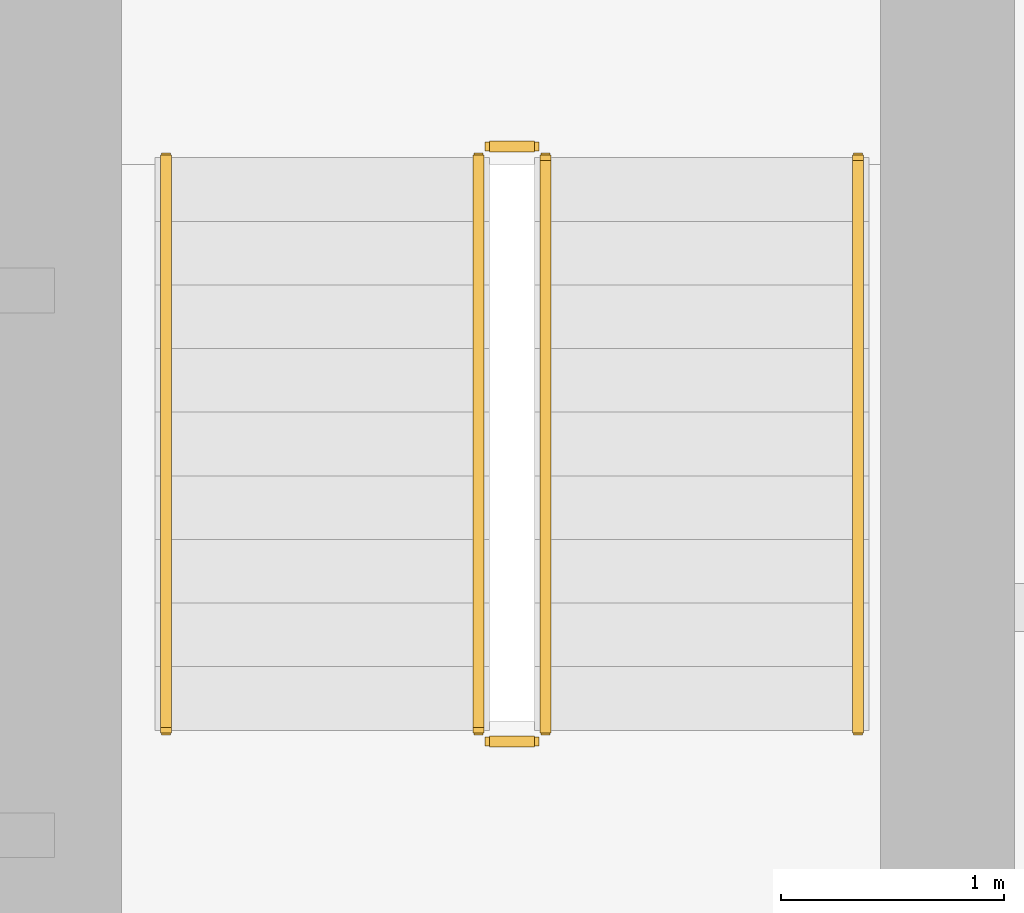
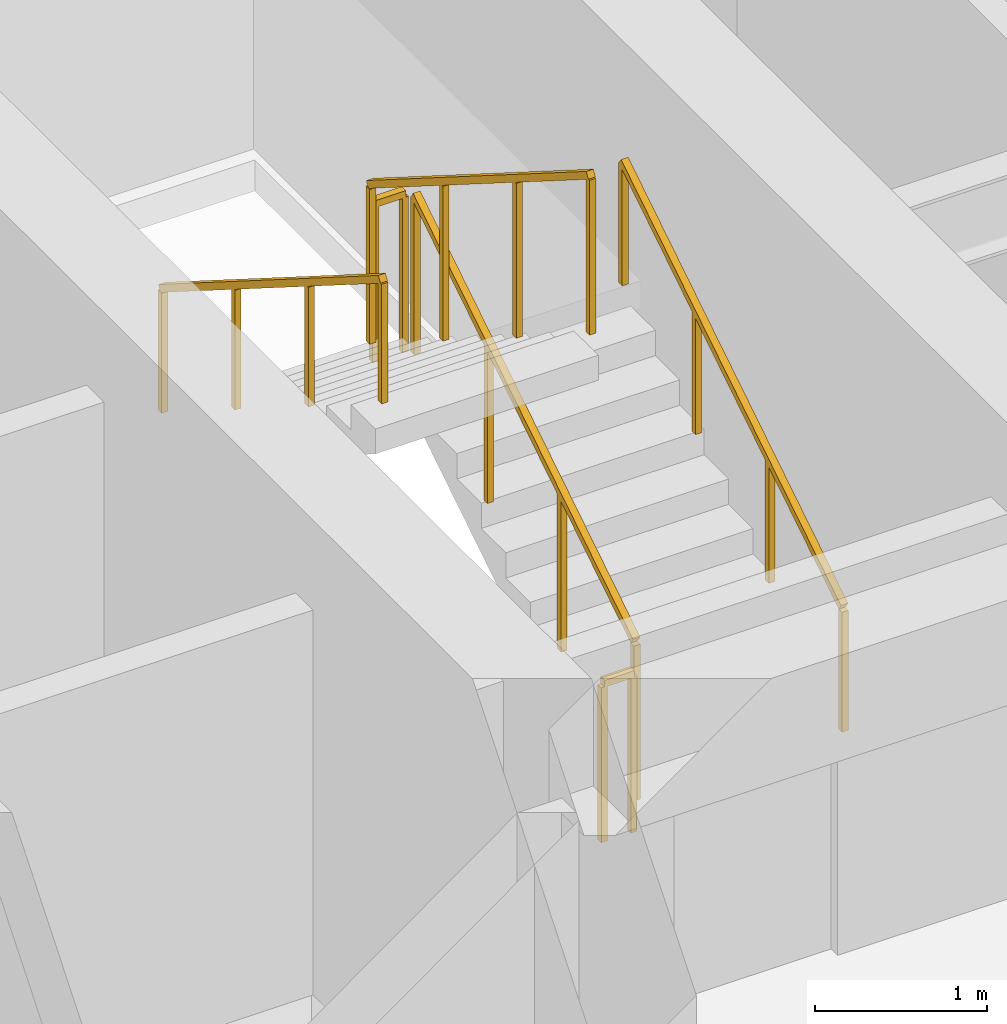
# One storey, part 26 of 26: 6 railings.
"""IFC4 building model written with IfcOpenShell, lengths in metres."""

from ifc_helpers import new_model, si_unit, direction, frame, origin, origin_2d, place, context, subcontext, project, spatial, rectangle, extrude, material, type_object, element, save


model = new_model("IFC4")

# Units and contexts
model_context = context("Model", 3, precision=1e-05, world=origin(), true_north=direction((0.0, 1.0)))
body_context = subcontext(model_context, "Body", "Model", "MODEL_VIEW")
ifc_project = project(units=[si_unit("LENGTHUNIT", "METRE"), si_unit("AREAUNIT", "SQUARE_METRE"), si_unit("VOLUMEUNIT", "CUBIC_METRE"), si_unit("PLANEANGLEUNIT", "RADIAN"), si_unit("MASSUNIT", "GRAM", prefix="KILO")], contexts=[model_context])

# Site, building, storey
site_placement = place(None, origin())
site = spatial("IfcSite", under=ifc_project, at=site_placement, CompositionType="ELEMENT")
building_placement = place(site_placement, origin())
building = spatial("IfcBuilding", under=site, at=building_placement, Name="Sarneth Arch Tower", CompositionType="ELEMENT")
storey_placement = place(building_placement, frame((0.0, 0.0, 64.199951171875)))
storey = spatial("IfcBuildingStorey", under=building, at=storey_placement, Name="L15", CompositionType="ELEMENT", Elevation=64.199951171875)

# Railings
ifc_material_1 = material(Name="Brushed Stainless Steel 304 tubular handrail", Category="steel")
railing_type_1 = type_object("IfcRailingType", Name="RAIL-HANDRAIL-900", PredefinedType="HANDRAIL", material=ifc_material_1)
railing_1_placement = place(storey_placement, frame((58.60009765625, 41.449951171875, 0.179931640625)))
element("IfcRailing", 1, at=railing_1_placement, inside=storey, type_object=railing_type_1, Name="L15 ST-2 stair handrail 1", PredefinedType="HANDRAIL", context=body_context, shape_type="SweptSolid", body=[
    extrude(rectangle(XDim=0.048095703125, YDim=0.048095703125, at=origin_2d()), frame((0.0, 0.0, 0.8759765625), z_axis=(0.0, 0.845465955043, 0.534029323973), x_axis=(-1.0, 0.0, 0.0)), (0.0, 0.0, 1.0), 3.03369140625),
    extrude(rectangle(XDim=0.0419921875, YDim=0.0419921875, at=origin_2d()), origin(), (0.0, 0.0, 1.0), 0.851806640625),
    extrude(rectangle(XDim=0.0419921875, YDim=0.0419921875, at=origin_2d()), frame((0.0, 0.85498046875, 0.5400390625)), (0.0, 0.0, 1.0), 0.851806640625),
    extrude(rectangle(XDim=0.0419921875, YDim=0.0419921875, at=origin_2d()), frame((0.0, 1.7099609375, 1.080078125)), (0.0, 0.0, 1.0), 0.851806640625),
    extrude(rectangle(XDim=0.0419921875, YDim=0.0419921875, at=origin_2d()), frame((0.0, 2.56494140625, 1.6201171875)), (0.0, 0.0, 1.0), 0.851806640625),
])
railing_2_placement = place(storey_placement, frame((55.5, 44.014892578125, 1.97998046875)))
element("IfcRailing", 2, at=railing_2_placement, inside=storey, type_object=railing_type_1, Name="L15 ST-2 stair handrail 2", PredefinedType="HANDRAIL", context=body_context, shape_type="SweptSolid", body=[
    extrude(rectangle(XDim=0.048095703125, YDim=0.048095703125, at=origin_2d()), frame((0.0, 0.0, 0.8759765625), z_axis=(0.0, -0.845465955043, 0.534029323973), x_axis=(1.0, 0.0, 0.0)), (0.0, 0.0, 1.0), 3.03369140625),
    extrude(rectangle(XDim=0.0419921875, YDim=0.0419921875, at=origin_2d()), origin(), (0.0, 0.0, 1.0), 0.851806640625),
    extrude(rectangle(XDim=0.0419921875, YDim=0.0419921875, at=origin_2d()), frame((0.0, -0.85498046875, 0.5400390625)), (0.0, 0.0, 1.0), 0.851806640625),
    extrude(rectangle(XDim=0.0419921875, YDim=0.0419921875, at=origin_2d()), frame((0.0, -1.7099609375, 1.080078125)), (0.0, 0.0, 1.0), 0.851806640625),
    extrude(rectangle(XDim=0.0419921875, YDim=0.0419921875, at=origin_2d()), frame((0.0, -2.56494140625, 1.6201171875)), (0.0, 0.0, 1.0), 0.851806640625),
])
ifc_material_2 = material(Name="Painted Steel S275 stair well guard", Category="steel")
railing_type_2 = type_object("IfcRailingType", Name="RAIL-STAIR-GUARD", PredefinedType="GUARDRAIL", material=ifc_material_2)
railing_3_placement = place(storey_placement, frame((57.199951171875, 41.449951171875, 0.179931640625)))
element("IfcRailing", 3, at=railing_3_placement, inside=storey, type_object=railing_type_2, Name="L15 ST-2 stair guard 1", PredefinedType="GUARDRAIL", context=body_context, shape_type="SweptSolid", body=[
    extrude(rectangle(XDim=0.048095703125, YDim=0.048095703125, at=origin_2d()), frame((0.0, 0.0, 1.1259765625), z_axis=(0.0, 0.845465955043, 0.534029323973), x_axis=(-1.0, 0.0, 0.0)), (0.0, 0.0, 1.0), 3.03369140625),
    extrude(rectangle(XDim=0.0419921875, YDim=0.0419921875, at=origin_2d()), origin(), (0.0, 0.0, 1.0), 1.101806640625),
    extrude(rectangle(XDim=0.0419921875, YDim=0.0419921875, at=origin_2d()), frame((0.0, 0.85498046875, 0.5400390625)), (0.0, 0.0, 1.0), 1.101806640625),
    extrude(rectangle(XDim=0.0419921875, YDim=0.0419921875, at=origin_2d()), frame((0.0, 1.7099609375, 1.080078125)), (0.0, 0.0, 1.0), 1.101806640625),
    extrude(rectangle(XDim=0.0419921875, YDim=0.0419921875, at=origin_2d()), frame((0.0, 2.56494140625, 1.6201171875)), (0.0, 0.0, 1.0), 1.101806640625),
])
railing_4_placement = place(storey_placement, frame((57.14990234375, 44.06494140625, 1.800048828125)))
element("IfcRailing", 4, at=railing_4_placement, inside=storey, type_object=railing_type_2, Name="L15 ST-2 stair guard 2", PredefinedType="GUARDRAIL", context=body_context, shape_type="SweptSolid", body=[
    extrude(rectangle(XDim=0.048095703125, YDim=0.048095703125, at=origin_2d()), frame((0.0, 0.0, 1.1259765625), z_axis=(-1.0, 0.0, 0.0), x_axis=(0.0, -1.0, 0.0)), (0.0, 0.0, 1.0), 0.199951171875),
    extrude(rectangle(XDim=0.0419921875, YDim=0.0419921875, at=origin_2d()), origin(), (0.0, 0.0, 1.0), 1.101806640625),
    extrude(rectangle(XDim=0.0419921875, YDim=0.0419921875, at=origin_2d()), frame((-0.199951171875, 0.0, 0.0)), (0.0, 0.0, 1.0), 1.101806640625),
])
railing_5_placement = place(storey_placement, frame((56.89990234375, 44.014892578125, 1.97998046875)))
element("IfcRailing", 5, at=railing_5_placement, inside=storey, type_object=railing_type_2, Name="L15 ST-2 stair guard 3", PredefinedType="GUARDRAIL", context=body_context, shape_type="SweptSolid", body=[
    extrude(rectangle(XDim=0.048095703125, YDim=0.048095703125, at=origin_2d()), frame((0.0, 0.0, 1.1259765625), z_axis=(0.0, -0.845465955043, 0.534029323973), x_axis=(1.0, 0.0, 0.0)), (0.0, 0.0, 1.0), 3.03369140625),
    extrude(rectangle(XDim=0.0419921875, YDim=0.0419921875, at=origin_2d()), origin(), (0.0, 0.0, 1.0), 1.101806640625),
    extrude(rectangle(XDim=0.0419921875, YDim=0.0419921875, at=origin_2d()), frame((0.0, -0.85498046875, 0.5400390625)), (0.0, 0.0, 1.0), 1.101806640625),
    extrude(rectangle(XDim=0.0419921875, YDim=0.0419921875, at=origin_2d()), frame((0.0, -1.7099609375, 1.080078125)), (0.0, 0.0, 1.0), 1.101806640625),
    extrude(rectangle(XDim=0.0419921875, YDim=0.0419921875, at=origin_2d()), frame((0.0, -2.56494140625, 1.6201171875)), (0.0, 0.0, 1.0), 1.101806640625),
])
railing_6_placement = place(storey_placement, frame((57.14990234375, 41.39990234375, 0.0)))
element("IfcRailing", 6, at=railing_6_placement, inside=storey, type_object=railing_type_2, Name="L15 ST-2 stair guard 4", PredefinedType="GUARDRAIL", context=body_context, shape_type="SweptSolid", body=[
    extrude(rectangle(XDim=0.048095703125, YDim=0.048095703125, at=origin_2d()), frame((0.0, 0.0, 1.1259765625), z_axis=(-1.0, 0.0, 0.0), x_axis=(0.0, -1.0, 0.0)), (0.0, 0.0, 1.0), 0.199951171875),
    extrude(rectangle(XDim=0.0419921875, YDim=0.0419921875, at=origin_2d()), origin(), (0.0, 0.0, 1.0), 1.101806640625),
    extrude(rectangle(XDim=0.0419921875, YDim=0.0419921875, at=origin_2d()), frame((-0.199951171875, 0.0, 0.0)), (0.0, 0.0, 1.0), 1.101806640625),
])

save(model, "model.ifc")
